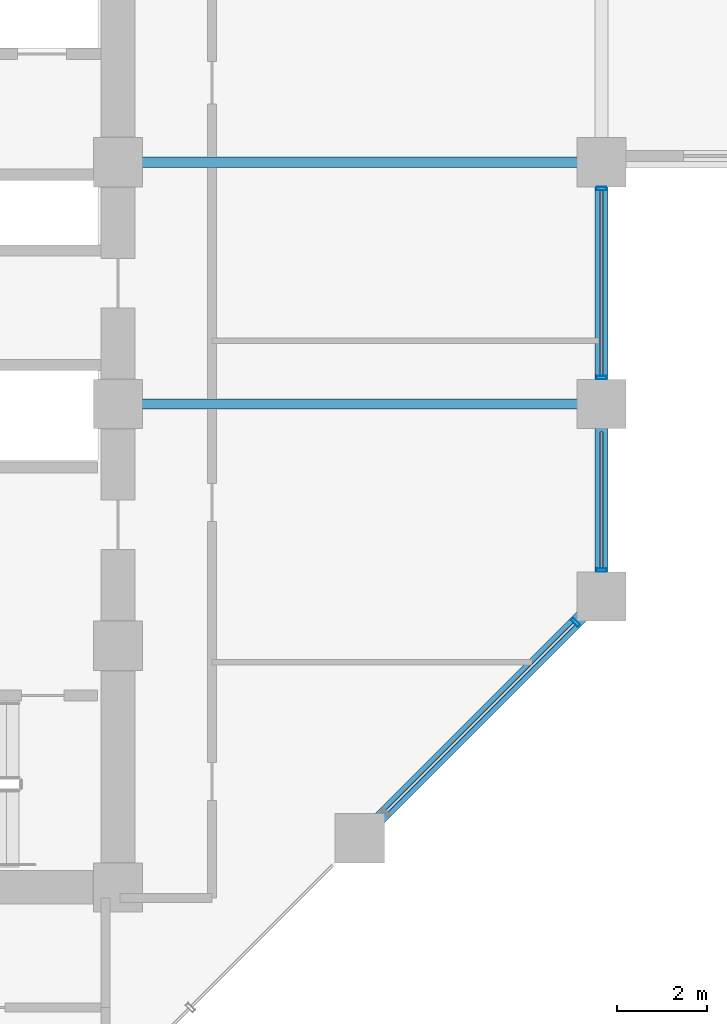
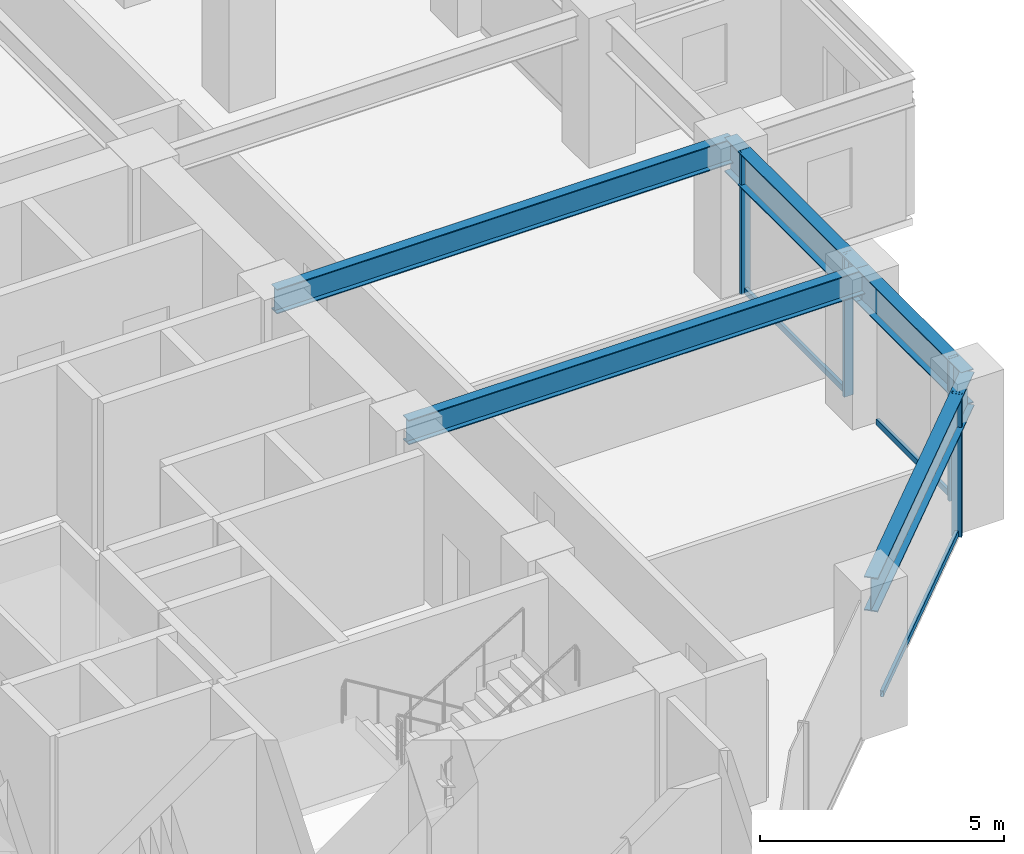
# One storey, part 10 of 29: 7 members, 5 beams, 2 elements without a shape of their own.
"""IFC4 building model written with IfcOpenShell, lengths in metres."""

from ifc_helpers import new_model, si_unit, direction, frame, origin, origin_2d, place, context, subcontext, project, spatial, hollow_rectangle, i_section, extrude, material, layer, layer_set, material_profile, profile_set, type_object, element, aggregate, save


model = new_model("IFC4")

# Units and contexts
model_context = context("Model", 3, precision=1e-05, world=origin(), true_north=direction((0.0, 1.0)))
body_context = subcontext(model_context, "Body", "Model", "MODEL_VIEW")
ifc_project = project(units=[si_unit("LENGTHUNIT", "METRE"), si_unit("AREAUNIT", "SQUARE_METRE"), si_unit("VOLUMEUNIT", "CUBIC_METRE"), si_unit("PLANEANGLEUNIT", "RADIAN"), si_unit("MASSUNIT", "GRAM", prefix="KILO")], contexts=[model_context])

# Site, building, storey
site_placement = place(None, origin())
site = spatial("IfcSite", under=ifc_project, at=site_placement, CompositionType="ELEMENT")
building_placement = place(site_placement, origin())
building = spatial("IfcBuilding", under=site, at=building_placement, Name="Surkhivell Harbour Commons", CompositionType="ELEMENT")
storey_placement = place(building_placement, frame((0.0, 0.0, 90.75)))
storey = spatial("IfcBuildingStorey", under=building, at=storey_placement, Name="L23", CompositionType="ELEMENT", Elevation=90.75)

# Beams
ifc_material_1 = material(Name="Steel S355", Category="steel")
ifc_material_profile_1 = material_profile(ifc_material_1, i_section(OverallWidth=0.22998046875, OverallDepth=0.616943359375, WebThickness=0.01318359375, FlangeThickness=0.022216796875, at=origin_2d()), Name="UB610x229x140")
ifc_profile_set_1 = profile_set([ifc_material_profile_1], Name="Steel S355")
beam_type_1 = type_object("IfcBeamType", Name="BM-GRD-610B", PredefinedType="BEAM", material=ifc_profile_set_1)
for number, where, z_axis, x_axis, name in (
    (1, (10.800048828125, 5.39990234375, 3.261474609375), (1.0, 0.0, 0.0), (0.0, 1.0, 0.0), "L23 Cantilever Back-Span Girder (10.8,5.4)"),
    (2, (10.800048828125, 0.0, 3.261474609375), (1.0, 0.0, 0.0), (0.0, 1.0, 0.0), "L23 Floor Girder (10.8,0.0)"),
):
    element("IfcBeam", number, at=place(storey_placement, frame(where, z_axis=z_axis, x_axis=x_axis)), inside=storey, type_object=beam_type_1, Name=name, PredefinedType="BEAM", context=body_context, shape_type="SweptSolid", body=[
        extrude(i_section(OverallWidth=0.22998046875, OverallDepth=0.616943359375, WebThickness=0.01318359375, FlangeThickness=0.022216796875, at=origin_2d()), origin(), (0.0, 0.0, 1.0), 10.800048828125),
    ])
ifc_material_2 = material(Name="Steel S460", Category="steel")
ifc_material_profile_2 = material_profile(ifc_material_2, i_section(OverallWidth=0.2939453125, OverallDepth=0.85107421875, WebThickness=0.01611328125, FlangeThickness=0.02685546875, at=origin_2d()), Name="UB838x292x226")
ifc_profile_set_2 = profile_set([ifc_material_profile_2], Name="Steel S460")
beam_type_2 = type_object("IfcBeamType", Name="BM-SPN-838", PredefinedType="SPANDREL", material=ifc_profile_set_2)
beam_1_placement = place(storey_placement, frame((16.199951171875, -9.699951171875, 3.14453125), z_axis=(0.707122765516, 0.707090796496, 0.0), x_axis=(-0.707090796496, 0.707122765516, 0.0)))
element("IfcBeam", 3, at=beam_1_placement, inside=storey, type_object=beam_type_2, Name="L23 Tube Spandrel (16.2,-9.7)", PredefinedType="SPANDREL", context=body_context, shape_type="SweptSolid", body=[
    extrude(i_section(OverallWidth=0.2939453125, OverallDepth=0.85107421875, WebThickness=0.01611328125, FlangeThickness=0.02685546875, at=origin_2d()), origin(), (0.0, 0.0, 1.0), 7.63671875),
])
beam_2_placement = place(storey_placement, frame((21.60009765625, -4.300048828125, 3.14453125), z_axis=(0.0, 1.0, 0.0), x_axis=(-1.0, 0.0, 0.0)))
element("IfcBeam", 4, at=beam_2_placement, inside=storey, type_object=beam_type_2, Name="L23 Tube Spandrel (21.6,-4.3)", PredefinedType="SPANDREL", context=body_context, shape_type="SweptSolid", body=[
    extrude(i_section(OverallWidth=0.2939453125, OverallDepth=0.85107421875, WebThickness=0.01611328125, FlangeThickness=0.02685546875, at=origin_2d()), origin(), (0.0, 0.0, 1.0), 4.300048828125),
])
beam_3_placement = place(storey_placement, frame((21.60009765625, 0.0, 3.14453125), z_axis=(0.0, 1.0, 0.0), x_axis=(-1.0, 0.0, 0.0)))
element("IfcBeam", 5, at=beam_3_placement, inside=storey, type_object=beam_type_2, Name="L23 Tube Spandrel (21.6,0.0)", PredefinedType="SPANDREL", context=body_context, shape_type="SweptSolid", body=[
    extrude(i_section(OverallWidth=0.2939453125, OverallDepth=0.85107421875, WebThickness=0.01611328125, FlangeThickness=0.02685546875, at=origin_2d()), origin(), (0.0, 0.0, 1.0), 5.39990234375),
])

# Curtain wall, member
ifc_material_3 = material(Name="Anodised pale-metal aluminium and insulated glazing", Category="aluminium")
ifc_layer = layer(ifc_material_3, 0.205078125)
ifc_layer_set = layer_set([ifc_layer], Name="Anodised pale-metal aluminium and insulated glazing")
curtain_wall_type = type_object("IfcCurtainWallType", Name="CW-SYS-Z2", PredefinedType="NOTDEFINED", material=ifc_layer_set)
curtain_wall_1_placement = place(storey_placement, origin())
curtain_wall_1 = element("IfcCurtainWall", 6, at=curtain_wall_1_placement, inside=storey, type_object=curtain_wall_type, Name="L23 Curtain Wall CW-L23-E01", PredefinedType="NOTDEFINED")
ifc_material_4 = material(Name="Anodised pale-metal aluminium alloy 6063-T6", Category="aluminium")
ifc_material_profile_3 = material_profile(ifc_material_4, hollow_rectangle(XDim=0.074951171875, YDim=0.219970703125, WallThickness=0.00390625, at=origin_2d()), Name="ALU-MULL-75x220")
ifc_profile_set_3 = profile_set([ifc_material_profile_3], Name="Anodised pale-metal aluminium alloy 6063-T6")
member_type_1 = type_object("IfcMemberType", Name="CWM-220", PredefinedType="MULLION", material=ifc_profile_set_3)
member_1_placement = place(storey_placement, frame((21.021728515625, -4.878173828125, 0.0), z_axis=(0.0, 0.0, 1.0), x_axis=(0.707106781187, 0.707106781187, 0.0)))
member_1 = element("IfcMember", 7, at=member_1_placement, type_object=member_type_1, Name="CW-Z2 mullion 6", PredefinedType="MULLION", context=body_context, shape_type="SweptSolid", body=[
    extrude(hollow_rectangle(XDim=0.074951171875, YDim=0.219970703125, WallThickness=0.00390625, at=origin_2d()), origin(), (0.0, 0.0, 1.0), 3.570068359375),
])

# Curtain wall, members
curtain_wall_2_placement = place(storey_placement, origin())
curtain_wall_2 = element("IfcCurtainWall", 8, at=curtain_wall_2_placement, inside=storey, type_object=curtain_wall_type, Name="L23 Curtain Wall CW-L23-E02R1", PredefinedType="NOTDEFINED")
member_2_placement = place(storey_placement, frame((21.60009765625, -3.71044921875, 0.0), z_axis=(0.0, 0.0, 1.0), x_axis=(0.0, 1.0, 0.0)))
member_2 = element("IfcMember", 9, at=member_2_placement, type_object=member_type_1, Name="CW-Z2 mullion 1", PredefinedType="MULLION", context=body_context, shape_type="SweptSolid", body=[
    extrude(hollow_rectangle(XDim=0.074951171875, YDim=0.219970703125, WallThickness=0.00390625, at=origin_2d()), origin(), (0.0, 0.0, 1.0), 3.570068359375),
])
member_3_placement = place(storey_placement, frame((21.60009765625, 0.589599609375, 0.0), z_axis=(0.0, 0.0, 1.0), x_axis=(0.0, 1.0, 0.0)))
member_3 = element("IfcMember", 10, at=member_3_placement, type_object=member_type_1, Name="CW-Z2 mullion 2", PredefinedType="MULLION", context=body_context, shape_type="SweptSolid", body=[
    extrude(hollow_rectangle(XDim=0.074951171875, YDim=0.219970703125, WallThickness=0.00390625, at=origin_2d()), origin(), (0.0, 0.0, 1.0), 3.570068359375),
])
member_4_placement = place(storey_placement, frame((21.60009765625, 4.810546875, 0.0), z_axis=(0.0, 0.0, 1.0), x_axis=(0.0, 1.0, 0.0)))
member_4 = element("IfcMember", 11, at=member_4_placement, type_object=member_type_1, Name="CW-Z2 mullion 3", PredefinedType="MULLION", context=body_context, shape_type="SweptSolid", body=[
    extrude(hollow_rectangle(XDim=0.074951171875, YDim=0.219970703125, WallThickness=0.00390625, at=origin_2d()), origin(), (0.0, 0.0, 1.0), 3.570068359375),
])

# Member
ifc_material_profile_4 = material_profile(ifc_material_4, hollow_rectangle(XDim=0.074951171875, YDim=0.14990234375, WallThickness=0.00341796875, at=origin_2d()), Name="ALU-TRAN-75x150")
ifc_profile_set_4 = profile_set([ifc_material_profile_4], Name="Anodised pale-metal aluminium alloy 6063-T6")
member_type_2 = type_object("IfcMemberType", Name="CWT-150", PredefinedType="USERDEFINED", material=ifc_profile_set_4)
member_5_placement = place(storey_placement, frame((16.8046875, -9.09521484375, 0.074951171875), z_axis=(0.707127378829, 0.707086182944, 0.0), x_axis=(-0.707086182944, 0.707127378829, 0.0)))
member_5 = element("IfcMember", 12, at=member_5_placement, type_object=member_type_2, Name="CW-Z2 transom 5.1", ObjectType="TRANSOM", PredefinedType="USERDEFINED", context=body_context, shape_type="SweptSolid", body=[
    extrude(hollow_rectangle(XDim=0.074951171875, YDim=0.14990234375, WallThickness=0.00341796875, at=origin_2d()), origin(), (0.0, 0.0, 1.0), 5.92626953125),
])

aggregate(curtain_wall_1, [member_1, member_5])

member_6_placement = place(storey_placement, frame((21.60009765625, -3.673095703125, 0.074951171875), z_axis=(0.0, 1.0, 0.0), x_axis=(-1.0, 0.0, 0.0)))
member_6 = element("IfcMember", 13, at=member_6_placement, type_object=member_type_2, Name="CW-Z2 transom 1.1", ObjectType="TRANSOM", PredefinedType="USERDEFINED", context=body_context, shape_type="SweptSolid", body=[
    extrude(hollow_rectangle(XDim=0.074951171875, YDim=0.14990234375, WallThickness=0.00341796875, at=origin_2d()), origin(), (0.0, 0.0, 1.0), 3.046142578125),
])

member_7_placement = place(storey_placement, frame((21.60009765625, 0.626953125, 0.074951171875), z_axis=(0.0, 1.0, 0.0), x_axis=(-1.0, 0.0, 0.0)))
member_7 = element("IfcMember", 14, at=member_7_placement, type_object=member_type_2, Name="CW-Z2 transom 2.1", ObjectType="TRANSOM", PredefinedType="USERDEFINED", context=body_context, shape_type="SweptSolid", body=[
    extrude(hollow_rectangle(XDim=0.074951171875, YDim=0.14990234375, WallThickness=0.00341796875, at=origin_2d()), origin(), (0.0, 0.0, 1.0), 4.14599609375),
])

aggregate(curtain_wall_2, [member_2, member_6, member_3, member_4, member_7])

save(model, "model.ifc")
